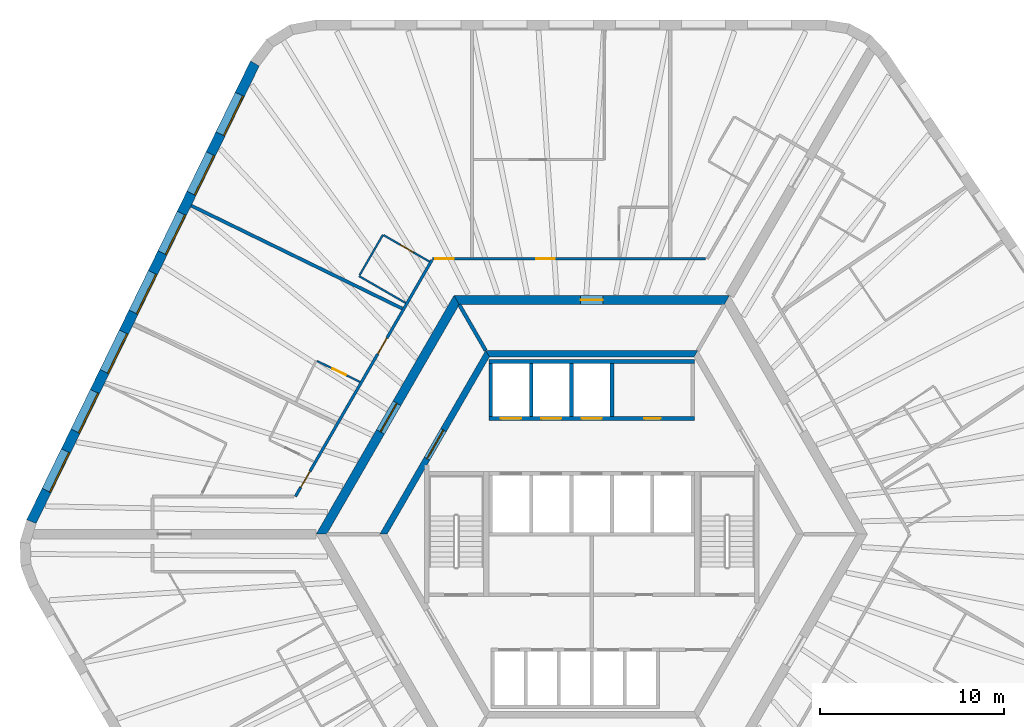
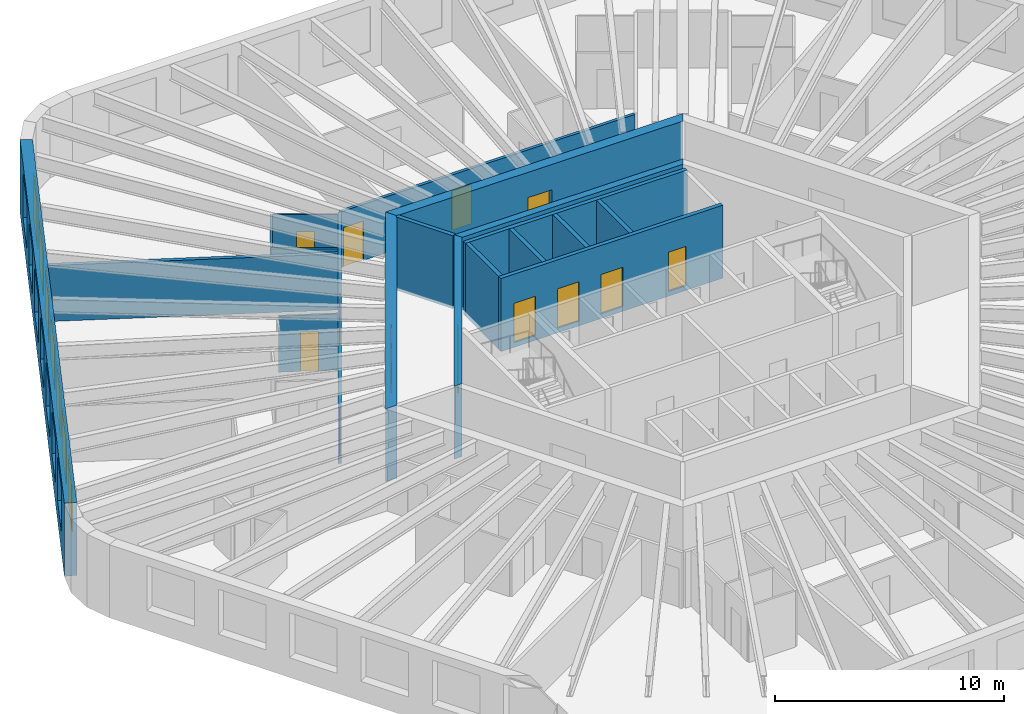
# One storey, part 7 of 10: 19 walls, 13 doors, 7 windows, 20 openings.
"""IFC4 building model written with IfcOpenShell, lengths in metres."""

from ifc_helpers import new_model, si_unit, direction, frame, frame_2d, origin, place, context, subcontext, project, spatial, polyline, rectangle, outline, extrude, material, layer, layer_set, type_object, element, fill, save


model = new_model("IFC4")

# Units and contexts
model_context = context("Model", 3, precision=1e-05, world=origin(), true_north=direction((0.0, 1.0)))
body_context = subcontext(model_context, "Body", "Model", "MODEL_VIEW")
ifc_project = project(units=[si_unit("LENGTHUNIT", "METRE"), si_unit("AREAUNIT", "SQUARE_METRE"), si_unit("VOLUMEUNIT", "CUBIC_METRE"), si_unit("PLANEANGLEUNIT", "RADIAN"), si_unit("MASSUNIT", "GRAM", prefix="KILO")], contexts=[model_context])

# Site, building, storey
site_placement = place(None, origin())
site = spatial("IfcSite", under=ifc_project, at=site_placement, CompositionType="ELEMENT")
building_placement = place(site_placement, origin())
building = spatial("IfcBuilding", under=site, at=building_placement, Name="Tarnside Tower", CompositionType="ELEMENT")
storey_placement = place(building_placement, frame((0.0, 0.0, 191.699951171875)))
storey = spatial("IfcBuildingStorey", under=building, at=storey_placement, Name="L45", CompositionType="ELEMENT", Elevation=191.699951171875)

# Walls
ifc_material_1 = material(Name="Gypsum board partition on steel studs", Category="steel")
ifc_layer_1 = layer(ifc_material_1, 0.10009765625)
ifc_layer_set_1 = layer_set([ifc_layer_1], Name="Bathroom wall 100")
wall_type_1 = type_object("IfcWallType", Name="Bathroom wall 100", PredefinedType="PARTITIONING", material=ifc_layer_set_1)
wall_1_placement = place(storey_placement, frame((-10.137939453125, 12.5908203125, 0.0), z_axis=(0.0, 0.0, 1.0), x_axis=(-0.866025730634, 0.499999433879, 0.0)))
element("IfcWall", 1, at=wall_1_placement, inside=storey, type_object=wall_type_1, Name="Bathroom wall 14064", PredefinedType="PARTITIONING", context=body_context, shape_type="SweptSolid", body=[
    extrude(rectangle(XDim=2.9248046875, YDim=0.10009765625, at=frame_2d((1.46240234375, 0.0))), origin(), (0.0, 0.0, 1.0), 2.98779296875),
])
wall_2_placement = place(storey_placement, frame((-12.64599609375, 14.096435546875, 0.0), z_axis=(0.0, 0.0, 1.0), x_axis=(0.500020783669, 0.866013403995, 0.0)))
element("IfcWall", 2, at=wall_2_placement, inside=storey, type_object=wall_type_1, Name="Bathroom wall 14065", PredefinedType="PARTITIONING", context=body_context, shape_type="SweptSolid", body=[
    extrude(rectangle(XDim=2.55029296875, YDim=0.10009765625, at=frame_2d((1.275146484375, 0.0))), origin(), (0.0, 0.0, 1.0), 2.98779296875),
])

# Wall, opening, door
wall_3_placement = place(storey_placement, frame((-11.32763671875, 16.280029296875, 0.0), z_axis=(0.0, 0.0, 1.0), x_axis=(0.865981939951, -0.500075274012, 0.0)))
wall_3 = element("IfcWall", 3, at=wall_3_placement, inside=storey, type_object=wall_type_1, Name="Bathroom wall 14066", PredefinedType="PARTITIONING", context=body_context, shape_type="SweptSolid", body=[
    extrude(rectangle(XDim=2.875, YDim=0.10009765625, at=frame_2d((1.4375, 0.0))), origin(), (0.0, 0.0, 1.0), 2.98779296875),
])
opening_1_placement = place(wall_3_placement, frame((1.050048828125, 0.0, 0.0)))
opening_1 = element("IfcOpeningElement", 4, at=opening_1_placement, cuts=wall_3, Name="Opening D-B1", PredefinedType="OPENING", context=body_context, shape_type="SweptSolid", body=[
    extrude(rectangle(XDim=0.800048828125, YDim=2.10009765625, at=frame_2d((0.39990234375, 1.050048828125))), frame((0.0, 0.06005859375, 0.0), z_axis=(0.0, -1.0, 0.0), x_axis=(1.0, 0.0, 0.0)), (0.0, 0.0, 1.0), 0.1201171875),
])
ifc_material_2 = material(Name="Timber door leaf", Category="wood")
door_type_1 = type_object("IfcDoorType", Name="Bathroom door 800", OperationType="NOTDEFINED", PredefinedType="DOOR", material=ifc_material_2)
door_1_placement = place(opening_1_placement, origin())
door_1 = element("IfcDoor", 5, at=door_1_placement, inside=storey, type_object=door_type_1, Name="Bathroom door 14007", OperationType="SINGLE_SWING_LEFT", OverallHeight=2.10009765625, OverallWidth=0.800048828125, PredefinedType="DOOR", context=body_context, shape_type="SweptSolid", body=[
    extrude(rectangle(XDim=0.800048828125, YDim=2.10009765625, at=frame_2d((0.39990234375, 1.050048828125))), frame((0.0, 0.02490234375, 0.0), z_axis=(0.0, -1.0, 0.0), x_axis=(1.0, 0.0, 0.0)), (0.0, 0.0, 1.0), 0.050048828125),
])
fill(opening_1, door_1)

wall_4_placement = place(storey_placement, frame((-14.96240234375, 9.431640625, 0.0), z_axis=(0.0, 0.0, 1.0), x_axis=(0.898770247069, -0.438419939081, 0.0)))
wall_4 = element("IfcWall", 6, at=wall_4_placement, inside=storey, type_object=wall_type_1, Name="Bathroom wall 14069", PredefinedType="PARTITIONING", context=body_context, shape_type="SweptSolid", body=[
    extrude(rectangle(XDim=2.60498046875, YDim=0.10009765625, at=frame_2d((1.302490234375, 0.0))), origin(), (0.0, 0.0, 1.0), 2.98779296875),
])
opening_2_placement = place(wall_4_placement, frame((0.949951171875, 0.0, 0.0)))
opening_2 = element("IfcOpeningElement", 7, at=opening_2_placement, cuts=wall_4, Name="Opening D-B1", PredefinedType="OPENING", context=body_context, shape_type="SweptSolid", body=[
    extrude(rectangle(XDim=0.800048828125, YDim=2.10009765625, at=frame_2d((0.39990234375, 1.050048828125))), frame((0.0, 0.06005859375, 0.0), z_axis=(0.0, -1.0, 0.0), x_axis=(1.0, 0.0, 0.0)), (0.0, 0.0, 1.0), 0.1201171875),
])
door_2_placement = place(opening_2_placement, origin())
door_2 = element("IfcDoor", 8, at=door_2_placement, inside=storey, type_object=door_type_1, Name="Bathroom door 14009", OperationType="SINGLE_SWING_LEFT", OverallHeight=2.10009765625, OverallWidth=0.800048828125, PredefinedType="DOOR", context=body_context, shape_type="SweptSolid", body=[
    extrude(rectangle(XDim=0.800048828125, YDim=2.10009765625, at=frame_2d((0.39990234375, 1.050048828125))), frame((0.0, 0.02490234375, 0.0), z_axis=(0.0, -1.0, 0.0), x_axis=(1.0, 0.0, 0.0)), (0.0, 0.0, 1.0), 0.050048828125),
])
fill(opening_2, door_2)

ifc_material_3 = material(Name="Concrete C50/60", Category="concrete")
ifc_layer_2 = layer(ifc_material_3, 0.35009765625)
ifc_layer_set_2 = layer_set([ifc_layer_2], Name="Core block wall 350 C50/60")
wall_type_2 = type_object("IfcWallType", Name="Core block wall 350 C50/60", PredefinedType="SHEAR", material=ifc_layer_set_2)
wall_5_placement = place(storey_placement, frame((-5.672607421875, 9.824951171875, -0.14990234375), z_axis=(0.0, 0.0, 1.0), x_axis=(-0.499995046907, -0.866028263435, 0.0)))
wall_5 = element("IfcWall", 9, at=wall_5_placement, inside=storey, type_object=wall_type_2, Name="L45 core block wall face 2", PredefinedType="SHEAR", context=body_context, shape_type="SweptSolid", body=[
    extrude(outline(polyline([(-0.10107421875, -0.175048828125), (11.44580078125, -0.175048828125), (11.24365234375, 0.175048828125), (0.10107421875, 0.175048828125), (-0.10107421875, -0.175048828125)])), origin(), (0.0, 0.0, 1.0), 3.89990234375),
])
opening_3_placement = place(wall_5_placement, frame((4.80126953125, 0.0, 0.14990234375)))
opening_3 = element("IfcOpeningElement", 10, at=opening_3_placement, cuts=wall_5, Name="Opening CD-LOB", PredefinedType="OPENING", context=body_context, shape_type="SweptSolid", body=[
    extrude(rectangle(XDim=1.800048828125, YDim=2.39990234375, at=frame_2d((0.89990234375, 1.199951171875))), frame((0.0, 0.18505859375, 0.0), z_axis=(0.0, -1.0, 0.0), x_axis=(1.0, 0.0, 0.0)), (0.0, 0.0, 1.0), 0.3701171875),
])
ifc_material_4 = material(Name="Steel fire door", Category="steel")
door_type_2 = type_object("IfcDoorType", Name="Lobby double door FD30S 1800x2400", OperationType="NOTDEFINED", PredefinedType="DOOR", material=ifc_material_4)
door_3_placement = place(opening_3_placement, origin())
door_3 = element("IfcDoor", 11, at=door_3_placement, inside=storey, type_object=door_type_2, Name="L45 lobby block door P1", OperationType="DOUBLE_DOOR_SINGLE_SWING", OverallHeight=2.39990234375, OverallWidth=1.800048828125, PredefinedType="DOOR", context=body_context, shape_type="SweptSolid", body=[
    extrude(rectangle(XDim=1.800048828125, YDim=2.39990234375, at=frame_2d((0.89990234375, 1.199951171875))), frame((0.0, 0.02490234375, 0.0), z_axis=(0.0, -1.0, 0.0), x_axis=(1.0, 0.0, 0.0)), (0.0, 0.0, 1.0), 0.050048828125),
])
fill(opening_3, door_3)

# Wall
wall_6_placement = place(storey_placement, frame((5.672607421875, 9.824951171875, -0.14990234375), z_axis=(0.0, 0.0, 1.0), x_axis=(-1.0, 0.0, 0.0)))
element("IfcWall", 12, at=wall_6_placement, inside=storey, type_object=wall_type_2, Name="L45 core block wall face 1", PredefinedType="SHEAR", context=body_context, shape_type="SweptSolid", body=[
    extrude(outline(polyline([(-0.10107421875, -0.175048828125), (11.4462890625, -0.175048828125), (11.244140625, 0.175048828125), (0.10107421875, 0.175048828125), (-0.10107421875, -0.175048828125)])), origin(), (0.0, 0.0, 1.0), 3.89990234375),
])

# Wall, opening, door
ifc_material_5 = material(Name="Concrete C70/85", Category="concrete")
ifc_layer_3 = layer(ifc_material_5, 0.5)
ifc_layer_set_3 = layer_set([ifc_layer_3], Name="Core wall Z2 500 C70/85")
wall_type_3 = type_object("IfcWallType", Name="Core wall Z2 500 C70/85", PredefinedType="SHEAR", material=ifc_layer_set_3)
wall_7_placement = place(storey_placement, frame((-7.361083984375, 12.75, -0.14990234375), z_axis=(0.0, 0.0, 1.0), x_axis=(-0.50000571537, -0.866022103989, 0.0)))
wall_7 = element("IfcWall", 13, at=wall_7_placement, inside=storey, type_object=wall_type_3, Name="L45 core wall face 2", PredefinedType="SHEAR", context=body_context, shape_type="SweptSolid", body=[
    extrude(outline(polyline([(-0.144287109375, -0.25), (14.86669921875, -0.25), (14.578125, 0.25), (0.144287109375, 0.25), (-0.144287109375, -0.25)])), origin(), (0.0, 0.0, 1.0), 3.89990234375),
])
opening_4_placement = place(wall_7_placement, frame((6.489990234375, 0.0, 0.14990234375)))
opening_4 = element("IfcOpeningElement", 14, at=opening_4_placement, cuts=wall_7, Name="Opening CD-LOB", PredefinedType="OPENING", context=body_context, shape_type="SweptSolid", body=[
    extrude(rectangle(XDim=1.800048828125, YDim=2.39990234375, at=frame_2d((0.89990234375, 1.199951171875))), frame((0.0, 0.260009765625, 0.0), z_axis=(0.0, -1.0, 0.0), x_axis=(1.0, 0.0, 0.0)), (0.0, 0.0, 1.0), 0.52001953125),
])
door_4_placement = place(opening_4_placement, origin())
door_4 = element("IfcDoor", 15, at=door_4_placement, inside=storey, type_object=door_type_2, Name="L45 core door P1", OperationType="DOUBLE_DOOR_SINGLE_SWING", OverallHeight=2.39990234375, OverallWidth=1.800048828125, PredefinedType="DOOR", context=body_context, shape_type="SweptSolid", body=[
    extrude(rectangle(XDim=1.800048828125, YDim=2.39990234375, at=frame_2d((0.89990234375, 1.199951171875))), frame((0.0, 0.02490234375, 0.0), z_axis=(0.0, -1.0, 0.0), x_axis=(1.0, 0.0, 0.0)), (0.0, 0.0, 1.0), 0.050048828125),
])
fill(opening_4, door_4)

wall_8_placement = place(storey_placement, frame((7.361083984375, 12.75, -0.14990234375), z_axis=(0.0, 0.0, 1.0), x_axis=(-1.0, 0.0, 0.0)))
wall_8 = element("IfcWall", 16, at=wall_8_placement, inside=storey, type_object=wall_type_3, Name="L45 core wall face 1", PredefinedType="SHEAR", context=body_context, shape_type="SweptSolid", body=[
    extrude(outline(polyline([(-0.144287109375, -0.25), (14.866455078125, -0.25), (14.577880859375, 0.25), (0.144287109375, 0.25), (-0.144287109375, -0.25)])), origin(), (0.0, 0.0, 1.0), 3.89990234375),
])
opening_5_placement = place(wall_8_placement, frame((6.76123046875, 0.0, 0.14990234375)))
opening_5 = element("IfcOpeningElement", 17, at=opening_5_placement, cuts=wall_8, Name="Opening CD-RSR", PredefinedType="OPENING", context=body_context, shape_type="SweptSolid", body=[
    extrude(rectangle(XDim=1.199951171875, YDim=2.39990234375, at=frame_2d((0.60009765625, 1.199951171875))), frame((0.0, 0.260009765625, 0.0), z_axis=(0.0, -1.0, 0.0), x_axis=(1.0, 0.0, 0.0)), (0.0, 0.0, 1.0), 0.52001953125),
])
door_type_3 = type_object("IfcDoorType", Name="Riser door FD60 1200x2400", OperationType="NOTDEFINED", PredefinedType="DOOR", material=ifc_material_4)
door_5_placement = place(opening_5_placement, origin())
door_5 = element("IfcDoor", 18, at=door_5_placement, inside=storey, type_object=door_type_3, Name="L45 core door S5", OperationType="SINGLE_SWING_LEFT", OverallHeight=2.39990234375, OverallWidth=1.199951171875, PredefinedType="DOOR", context=body_context, shape_type="SweptSolid", body=[
    extrude(rectangle(XDim=1.199951171875, YDim=2.39990234375, at=frame_2d((0.60009765625, 1.199951171875))), frame((0.0, 0.02490234375, 0.0), z_axis=(0.0, -1.0, 0.0), x_axis=(1.0, 0.0, 0.0)), (0.0, 0.0, 1.0), 0.050048828125),
])
fill(opening_5, door_5)

# Wall, openings, doors
ifc_layer_4 = layer(ifc_material_1, 0.14990234375)
ifc_layer_set_4 = layer_set([ifc_layer_4], Name="Corridor wall 150 EI 60")
wall_type_4 = type_object("IfcWallType", Name="Corridor wall 150 EI 60", PredefinedType="PARTITIONING", material=ifc_layer_set_4)
wall_9_placement = place(storey_placement, frame((6.20654296875, 15.0, 0.0), z_axis=(0.0, 0.0, 1.0), x_axis=(-1.0, 0.0, 0.0)))
wall_9 = element("IfcWall", 19, at=wall_9_placement, inside=storey, type_object=wall_type_4, Name="Corridor wall 14002", PredefinedType="PARTITIONING", context=body_context, shape_type="SweptSolid", body=[
    extrude(rectangle(XDim=14.86669921875, YDim=0.14990234375, at=frame_2d((7.433349609375, 0.0))), origin(), (0.0, 0.0, 1.0), 2.98779296875),
])
opening_6_placement = place(wall_9_placement, frame((8.224365234375, 0.0, 0.0)))
opening_6 = element("IfcOpeningElement", 20, at=opening_6_placement, cuts=wall_9, Name="Opening D-E1", PredefinedType="OPENING", context=body_context, shape_type="SweptSolid", body=[
    extrude(rectangle(XDim=1.0, YDim=2.10009765625, at=frame_2d((0.5, 1.050048828125))), frame((0.0, 0.0849609375, 0.0), z_axis=(0.0, -1.0, 0.0), x_axis=(1.0, 0.0, 0.0)), (0.0, 0.0, 1.0), 0.169921875),
])
opening_7_placement = place(wall_9_placement, frame((13.716796875, 0.0, 0.0)))
opening_7 = element("IfcOpeningElement", 21, at=opening_7_placement, cuts=wall_9, Name="Opening D-E1", PredefinedType="OPENING", context=body_context, shape_type="SweptSolid", body=[
    extrude(rectangle(XDim=1.0, YDim=2.10009765625, at=frame_2d((0.5, 1.050048828125))), frame((0.0, 0.0849609375, 0.0), z_axis=(0.0, -1.0, 0.0), x_axis=(1.0, 0.0, 0.0)), (0.0, 0.0, 1.0), 0.169921875),
])
door_type_4 = type_object("IfcDoorType", Name="Unit entrance door 1000 FD30S", OperationType="NOTDEFINED", PredefinedType="DOOR", material=ifc_material_2)
door_6_placement = place(opening_6_placement, origin())
door_6 = element("IfcDoor", 22, at=door_6_placement, inside=storey, type_object=door_type_4, Name="Unit door 14003", OperationType="SINGLE_SWING_RIGHT", OverallHeight=2.10009765625, OverallWidth=1.0, PredefinedType="DOOR", context=body_context, shape_type="SweptSolid", body=[
    extrude(rectangle(XDim=1.0, YDim=2.10009765625, at=frame_2d((0.5, 1.050048828125))), frame((0.0, 0.02490234375, 0.0), z_axis=(0.0, -1.0, 0.0), x_axis=(1.0, 0.0, 0.0)), (0.0, 0.0, 1.0), 0.050048828125),
])
fill(opening_6, door_6)
door_7_placement = place(opening_7_placement, origin())
door_7 = element("IfcDoor", 23, at=door_7_placement, inside=storey, type_object=door_type_4, Name="Unit door 14006", OperationType="SINGLE_SWING_LEFT", OverallHeight=2.10009765625, OverallWidth=1.0, PredefinedType="DOOR", context=body_context, shape_type="SweptSolid", body=[
    extrude(rectangle(XDim=1.0, YDim=2.10009765625, at=frame_2d((0.5, 1.050048828125))), frame((0.0, 0.02490234375, 0.0), z_axis=(0.0, -1.0, 0.0), x_axis=(1.0, 0.0, 0.0)), (0.0, 0.0, 1.0), 0.050048828125),
])
fill(opening_7, door_7)

wall_10_placement = place(storey_placement, frame((-8.70361328125, 14.925048828125, 0.0), z_axis=(0.0, 0.0, 1.0), x_axis=(-0.499998228944, -0.866026426302, 0.0)))
wall_10 = element("IfcWall", 24, at=wall_10_placement, inside=storey, type_object=wall_type_4, Name="Corridor wall 14008", PredefinedType="PARTITIONING", context=body_context, shape_type="SweptSolid", body=[
    extrude(rectangle(XDim=14.86669921875, YDim=0.14990234375, at=frame_2d((7.433349609375, 0.0))), origin(), (0.0, 0.0, 1.0), 2.98779296875),
])
opening_8_placement = place(wall_10_placement, frame((4.900634765625, 0.0, 0.0)))
opening_8 = element("IfcOpeningElement", 25, at=opening_8_placement, cuts=wall_10, Name="Opening D-E1", PredefinedType="OPENING", context=body_context, shape_type="SweptSolid", body=[
    extrude(rectangle(XDim=1.0, YDim=2.10009765625, at=frame_2d((0.5, 1.050048828125))), frame((0.0, 0.0849609375, 0.0), z_axis=(0.0, -1.0, 0.0), x_axis=(1.0, 0.0, 0.0)), (0.0, 0.0, 1.0), 0.169921875),
])
opening_9_placement = place(wall_10_placement, frame((13.28369140625, 0.0, 0.0)))
opening_9 = element("IfcOpeningElement", 26, at=opening_9_placement, cuts=wall_10, Name="Opening D-E1", PredefinedType="OPENING", context=body_context, shape_type="SweptSolid", body=[
    extrude(rectangle(XDim=1.0, YDim=2.10009765625, at=frame_2d((0.5, 1.050048828125))), frame((0.0, 0.0849609375, 0.0), z_axis=(0.0, -1.0, 0.0), x_axis=(1.0, 0.0, 0.0)), (0.0, 0.0, 1.0), 0.169921875),
])
door_8_placement = place(opening_8_placement, origin())
door_8 = element("IfcDoor", 27, at=door_8_placement, inside=storey, type_object=door_type_4, Name="Unit door 14008", OperationType="SINGLE_SWING_RIGHT", OverallHeight=2.10009765625, OverallWidth=1.0, PredefinedType="DOOR", context=body_context, shape_type="SweptSolid", body=[
    extrude(rectangle(XDim=1.0, YDim=2.10009765625, at=frame_2d((0.5, 1.050048828125))), frame((0.0, 0.02490234375, 0.0), z_axis=(0.0, -1.0, 0.0), x_axis=(1.0, 0.0, 0.0)), (0.0, 0.0, 1.0), 0.050048828125),
])
fill(opening_8, door_8)
door_9_placement = place(opening_9_placement, origin())
door_9 = element("IfcDoor", 28, at=door_9_placement, inside=storey, type_object=door_type_4, Name="Unit door 14010", OperationType="SINGLE_SWING_LEFT", OverallHeight=2.10009765625, OverallWidth=1.0, PredefinedType="DOOR", context=body_context, shape_type="SweptSolid", body=[
    extrude(rectangle(XDim=1.0, YDim=2.10009765625, at=frame_2d((0.5, 1.050048828125))), frame((0.0, 0.02490234375, 0.0), z_axis=(0.0, -1.0, 0.0), x_axis=(1.0, 0.0, 0.0)), (0.0, 0.0, 1.0), 0.050048828125),
])
fill(opening_9, door_9)

# Wall
ifc_layer_5 = layer(ifc_material_1, 0.179931640625)
ifc_layer_set_5 = layer_set([ifc_layer_5], Name="Demising wall 180 EI 60")
wall_type_5 = type_object("IfcWallType", Name="Demising wall 180 EI 60", PredefinedType="PARTITIONING", material=ifc_layer_set_5)
wall_11_placement = place(storey_placement, frame((-21.814697265625, 17.8916015625, 0.0), z_axis=(0.0, 0.0, 1.0), x_axis=(0.898799253997, -0.438360469265, 0.0)))
element("IfcWall", 29, at=wall_11_placement, inside=storey, type_object=wall_type_5, Name="Demising wall 14067", PredefinedType="PARTITIONING", context=body_context, shape_type="SweptSolid", body=[
    extrude(rectangle(XDim=12.7939453125, YDim=0.179931640625, at=frame_2d((6.39697265625, 0.0))), origin(), (0.0, 0.0, 1.0), 2.98779296875),
])

# Wall, openings, doors
ifc_material_6 = material(Name="Concrete C40/50", Category="concrete")
ifc_layer_6 = layer(ifc_material_6, 0.199951171875)
ifc_layer_set_6 = layer_set([ifc_layer_6], Name="Lift shaft wall 200 C40/50")
wall_type_6 = type_object("IfcWallType", Name="Lift shaft wall 200 C40/50", PredefinedType="SHEAR", material=ifc_layer_set_6)
wall_12_placement = place(storey_placement, frame((-5.60009765625, 6.300048828125, -0.25), z_axis=(0.0, 0.0, 1.0), x_axis=(1.0, 0.0, 0.0)))
wall_12 = element("IfcWall", 30, at=wall_12_placement, inside=storey, type_object=wall_type_6, Name="L45 lift shaft front wall R1", PredefinedType="SHEAR", context=body_context, shape_type="SweptSolid", body=[
    extrude(rectangle(XDim=11.2001953125, YDim=0.199951171875, at=frame_2d((5.60009765625, 0.0))), origin(), (0.0, 0.0, 1.0), 3.900146484375),
])
opening_10_placement = place(wall_12_placement, frame((8.449951171875, 0.0, 0.25)))
opening_10 = element("IfcOpeningElement", 31, at=opening_10_placement, cuts=wall_12, Name="Opening CD-room", PredefinedType="OPENING", context=body_context, shape_type="SweptSolid", body=[
    extrude(rectangle(XDim=0.89990234375, YDim=2.10009765625, at=frame_2d((0.449951171875, 1.050048828125))), frame((0.0, 0.10986328125, 0.0), z_axis=(0.0, -1.0, 0.0), x_axis=(1.0, 0.0, 0.0)), (0.0, 0.0, 1.0), 0.219970703125),
])
opening_11_placement = place(wall_12_placement, frame((0.64990234375, 0.0, 0.25)))
opening_11 = element("IfcOpeningElement", 32, at=opening_11_placement, cuts=wall_12, Name="Opening LD", PredefinedType="OPENING", context=body_context, shape_type="SweptSolid", body=[
    extrude(rectangle(XDim=1.10009765625, YDim=2.10009765625, at=frame_2d((0.550048828125, 1.050048828125))), frame((0.0, 0.10986328125, 0.0), z_axis=(0.0, -1.0, 0.0), x_axis=(1.0, 0.0, 0.0)), (0.0, 0.0, 1.0), 0.219970703125),
])
opening_12_placement = place(wall_12_placement, frame((2.85009765625, 0.0, 0.25)))
opening_12 = element("IfcOpeningElement", 33, at=opening_12_placement, cuts=wall_12, Name="Opening LD", PredefinedType="OPENING", context=body_context, shape_type="SweptSolid", body=[
    extrude(rectangle(XDim=1.10009765625, YDim=2.10009765625, at=frame_2d((0.550048828125, 1.050048828125))), frame((0.0, 0.10986328125, 0.0), z_axis=(0.0, -1.0, 0.0), x_axis=(1.0, 0.0, 0.0)), (0.0, 0.0, 1.0), 0.219970703125),
])
opening_13_placement = place(wall_12_placement, frame((5.050048828125, 0.0, 0.25)))
opening_13 = element("IfcOpeningElement", 34, at=opening_13_placement, cuts=wall_12, Name="Opening LD", PredefinedType="OPENING", context=body_context, shape_type="SweptSolid", body=[
    extrude(rectangle(XDim=1.10009765625, YDim=2.10009765625, at=frame_2d((0.550048828125, 1.050048828125))), frame((0.0, 0.10986328125, 0.0), z_axis=(0.0, -1.0, 0.0), x_axis=(1.0, 0.0, 0.0)), (0.0, 0.0, 1.0), 0.219970703125),
])
ifc_material_7 = material(Name="Stainless steel", Category="steel")
door_type_5 = type_object("IfcDoorType", Name="Lift landing door 1100x2100", OperationType="NOTDEFINED", PredefinedType="DOOR", material=ifc_material_7)
door_10_placement = place(opening_11_placement, origin())
door_10 = element("IfcDoor", 35, at=door_10_placement, inside=storey, type_object=door_type_5, Name="Mid-rise lift 1 landing door L45", OperationType="SLIDING_TO_LEFT", OverallHeight=2.10009765625, OverallWidth=1.10009765625, PredefinedType="DOOR", context=body_context, shape_type="SweptSolid", body=[
    extrude(rectangle(XDim=1.10009765625, YDim=2.10009765625, at=frame_2d((0.550048828125, 1.050048828125))), frame((0.0, 0.02490234375, 0.0), z_axis=(0.0, -1.0, 0.0), x_axis=(1.0, 0.0, 0.0)), (0.0, 0.0, 1.0), 0.050048828125),
])
fill(opening_11, door_10)
door_11_placement = place(opening_12_placement, origin())
door_11 = element("IfcDoor", 36, at=door_11_placement, inside=storey, type_object=door_type_5, Name="Mid-rise lift 2 landing door L45", OperationType="SLIDING_TO_LEFT", OverallHeight=2.10009765625, OverallWidth=1.10009765625, PredefinedType="DOOR", context=body_context, shape_type="SweptSolid", body=[
    extrude(rectangle(XDim=1.10009765625, YDim=2.10009765625, at=frame_2d((0.550048828125, 1.050048828125))), frame((0.0, 0.02490234375, 0.0), z_axis=(0.0, -1.0, 0.0), x_axis=(1.0, 0.0, 0.0)), (0.0, 0.0, 1.0), 0.050048828125),
])
fill(opening_12, door_11)
door_12_placement = place(opening_13_placement, origin())
door_12 = element("IfcDoor", 37, at=door_12_placement, inside=storey, type_object=door_type_5, Name="Mid-rise lift 3 landing door L45", OperationType="SLIDING_TO_LEFT", OverallHeight=2.10009765625, OverallWidth=1.10009765625, PredefinedType="DOOR", context=body_context, shape_type="SweptSolid", body=[
    extrude(rectangle(XDim=1.10009765625, YDim=2.10009765625, at=frame_2d((0.550048828125, 1.050048828125))), frame((0.0, 0.02490234375, 0.0), z_axis=(0.0, -1.0, 0.0), x_axis=(1.0, 0.0, 0.0)), (0.0, 0.0, 1.0), 0.050048828125),
])
fill(opening_13, door_12)
door_type_6 = type_object("IfcDoorType", Name="Room door FD60 900x2100", OperationType="NOTDEFINED", PredefinedType="DOOR", material=ifc_material_4)
door_13_placement = place(opening_10_placement, origin())
door_13 = element("IfcDoor", 38, at=door_13_placement, inside=storey, type_object=door_type_6, Name="L45 core room door FC1", OperationType="SINGLE_SWING_LEFT", OverallHeight=2.10009765625, OverallWidth=0.89990234375, PredefinedType="DOOR", context=body_context, shape_type="SweptSolid", body=[
    extrude(rectangle(XDim=0.89990234375, YDim=2.10009765625, at=frame_2d((0.449951171875, 1.050048828125))), frame((0.0, 0.02490234375, 0.0), z_axis=(0.0, -1.0, 0.0), x_axis=(1.0, 0.0, 0.0)), (0.0, 0.0, 1.0), 0.050048828125),
])
fill(opening_10, door_13)

# Walls
wall_13_placement = place(storey_placement, frame((-5.60009765625, 9.39990234375, -0.25), z_axis=(0.0, 0.0, 1.0), x_axis=(1.0, 0.0, 0.0)))
element("IfcWall", 39, at=wall_13_placement, inside=storey, type_object=wall_type_6, Name="L45 lift shaft back wall R1", PredefinedType="SHEAR", context=body_context, shape_type="SweptSolid", body=[
    extrude(rectangle(XDim=11.2001953125, YDim=0.199951171875, at=frame_2d((5.60009765625, 0.0))), origin(), (0.0, 0.0, 1.0), 3.900146484375),
])
for number, where, z_axis, x_axis, name in (
    (40, (-5.5, 6.39990234375, -0.25), (0.0, 0.0, 1.0), (0.0, 1.0, 0.0), "L45 lift shaft partition R11"),
    (41, (-3.300048828125, 6.39990234375, -0.25), (0.0, 0.0, 1.0), (0.0, 1.0, 0.0), "L45 lift shaft partition R12"),
    (42, (-1.10009765625, 6.39990234375, -0.25), (0.0, 0.0, 1.0), (0.0, 1.0, 0.0), "L45 lift shaft partition R13"),
    (43, (1.10009765625, 6.39990234375, -0.25), (0.0, 0.0, 1.0), (0.0, 1.0, 0.0), "L45 lift shaft partition R14"),
):
    element("IfcWall", number, at=place(storey_placement, frame(where, z_axis=z_axis, x_axis=x_axis)), inside=storey, type_object=wall_type_6, Name=name, PredefinedType="SHEAR", context=body_context, shape_type="SweptSolid", body=[
        extrude(rectangle(XDim=2.900146484375, YDim=0.199951171875, at=frame_2d((1.4501953125, 0.0))), origin(), (0.0, 0.0, 1.0), 3.900146484375),
    ])
wall_14_placement = place(storey_placement, frame((-5.7734375, 10.0, -0.14990234375), z_axis=(0.0, 0.0, 1.0), x_axis=(-0.499995765644, 0.866027848477, 0.0)))
element("IfcWall", 44, at=wall_14_placement, inside=storey, type_object=wall_type_6, Name="L45 core partition AR120", PredefinedType="SHEAR", context=body_context, shape_type="SweptSolid", body=[
    extrude(rectangle(XDim=2.88671875, YDim=0.199951171875, at=frame_2d((1.443359375, 0.0))), origin(), (0.0, 0.0, 1.0), 3.89990234375),
])

# Wall, openings, windows
ifc_material_8 = material(Name="Facing brick", Category="masonry")
ifc_layer_7 = layer(ifc_material_8, 0.10205078125)
ifc_material_9 = material(Name="Concrete C60/75 precast", Category="concrete")
ifc_layer_8 = layer(ifc_material_9, 0.347900390625)
ifc_material_10 = material(Name="Mineral wool insulation")
ifc_layer_9 = layer(ifc_material_10, 0.10009765625)
ifc_layer_set_7 = layer_set([ifc_layer_7, ifc_layer_8, ifc_layer_9], Name="Tube wall 550 brick faced")
wall_type_7 = type_object("IfcWallType", Name="Tube wall 550 brick faced", PredefinedType="SOLIDWALL", material=ifc_layer_set_7)
wall_15_placement = place(storey_placement, frame((-18.344970703125, 25.6328125, -0.14990234375), z_axis=(0.0, 0.0, 1.0), x_axis=(-0.43837181828, -0.898793718791, 0.0)))
wall_15 = element("IfcWall", 45, at=wall_15_placement, inside=storey, type_object=wall_type_7, Name="Tube wall L45 F2 flush 04", PredefinedType="SOLIDWALL", context=body_context, shape_type="SweptSolid", body=[
    extrude(outline(polyline([(-0.025634765625, -0.27490234375), (27.7802734375, -0.27490234375), (27.7353515625, 0.27490234375), (0.025634765625, 0.27490234375), (-0.025634765625, -0.27490234375)])), origin(), (0.0, 0.0, 1.0), 3.89990234375),
])
opening_14_placement = place(wall_15_placement, frame((1.87890625, 0.0, 1.050048828125)))
opening_14 = element("IfcOpeningElement", 46, at=opening_14_placement, cuts=wall_15, Name="Opening WH", PredefinedType="OPENING", context=body_context, shape_type="SweptSolid", body=[
    extrude(rectangle(XDim=2.39990234375, YDim=2.39990234375, at=frame_2d((1.199951171875, 1.199951171875))), frame((0.0, 0.28515625, 0.0), z_axis=(0.0, -1.0, 0.0), x_axis=(1.0, 0.0, 0.0)), (0.0, 0.0, 1.0), 0.570068359375),
])
opening_15_placement = place(wall_15_placement, frame((5.47900390625, 0.0, 1.050048828125)))
opening_15 = element("IfcOpeningElement", 47, at=opening_15_placement, cuts=wall_15, Name="Opening WH", PredefinedType="OPENING", context=body_context, shape_type="SweptSolid", body=[
    extrude(rectangle(XDim=2.39990234375, YDim=2.39990234375, at=frame_2d((1.199951171875, 1.199951171875))), frame((0.0, 0.28515625, 0.0), z_axis=(0.0, -1.0, 0.0), x_axis=(1.0, 0.0, 0.0)), (0.0, 0.0, 1.0), 0.570068359375),
])
opening_16_placement = place(wall_15_placement, frame((9.078857421875, 0.0, 1.050048828125)))
opening_16 = element("IfcOpeningElement", 48, at=opening_16_placement, cuts=wall_15, Name="Opening WH", PredefinedType="OPENING", context=body_context, shape_type="SweptSolid", body=[
    extrude(rectangle(XDim=2.39990234375, YDim=2.39990234375, at=frame_2d((1.199951171875, 1.199951171875))), frame((0.0, 0.28515625, 0.0), z_axis=(0.0, -1.0, 0.0), x_axis=(1.0, 0.0, 0.0)), (0.0, 0.0, 1.0), 0.570068359375),
])
opening_17_placement = place(wall_15_placement, frame((12.678955078125, 0.0, 1.050048828125)))
opening_17 = element("IfcOpeningElement", 49, at=opening_17_placement, cuts=wall_15, Name="Opening WH", PredefinedType="OPENING", context=body_context, shape_type="SweptSolid", body=[
    extrude(rectangle(XDim=2.39990234375, YDim=2.39990234375, at=frame_2d((1.199951171875, 1.199951171875))), frame((0.0, 0.28515625, 0.0), z_axis=(0.0, -1.0, 0.0), x_axis=(1.0, 0.0, 0.0)), (0.0, 0.0, 1.0), 0.570068359375),
])
opening_18_placement = place(wall_15_placement, frame((16.27880859375, 0.0, 1.050048828125)))
opening_18 = element("IfcOpeningElement", 50, at=opening_18_placement, cuts=wall_15, Name="Opening WH", PredefinedType="OPENING", context=body_context, shape_type="SweptSolid", body=[
    extrude(rectangle(XDim=2.39990234375, YDim=2.39990234375, at=frame_2d((1.199951171875, 1.199951171875))), frame((0.0, 0.28515625, 0.0), z_axis=(0.0, -1.0, 0.0), x_axis=(1.0, 0.0, 0.0)), (0.0, 0.0, 1.0), 0.570068359375),
])
opening_19_placement = place(wall_15_placement, frame((19.87890625, 0.0, 1.050048828125)))
opening_19 = element("IfcOpeningElement", 51, at=opening_19_placement, cuts=wall_15, Name="Opening WH", PredefinedType="OPENING", context=body_context, shape_type="SweptSolid", body=[
    extrude(rectangle(XDim=2.39990234375, YDim=2.39990234375, at=frame_2d((1.199951171875, 1.199951171875))), frame((0.0, 0.28515625, 0.0), z_axis=(0.0, -1.0, 0.0), x_axis=(1.0, 0.0, 0.0)), (0.0, 0.0, 1.0), 0.570068359375),
])
opening_20_placement = place(wall_15_placement, frame((23.47900390625, 0.0, 1.050048828125)))
opening_20 = element("IfcOpeningElement", 52, at=opening_20_placement, cuts=wall_15, Name="Opening WH", PredefinedType="OPENING", context=body_context, shape_type="SweptSolid", body=[
    extrude(rectangle(XDim=2.39990234375, YDim=2.39990234375, at=frame_2d((1.199951171875, 1.199951171875))), frame((0.0, 0.28515625, 0.0), z_axis=(0.0, -1.0, 0.0), x_axis=(1.0, 0.0, 0.0)), (0.0, 0.0, 1.0), 0.570068359375),
])
ifc_material_11 = material(Name="Aluminium-framed double glazing", Category="aluminium")
window_type = type_object("IfcWindowType", Name="Hotel window 2400 x 2400", PartitioningType="DOUBLE_PANEL_VERTICAL", PredefinedType="WINDOW", material=ifc_material_11)
window_1_placement = place(opening_14_placement, frame((0.0, 0.205078125, 0.0)))
window_1 = element("IfcWindow", 53, at=window_1_placement, inside=storey, type_object=window_type, Name="E.WN.L45.F2.00", OverallHeight=2.39990234375, OverallWidth=2.39990234375, PartitioningType="DOUBLE_PANEL_VERTICAL", PredefinedType="WINDOW", context=body_context, shape_type="SweptSolid", body=[
    extrude(rectangle(XDim=2.39990234375, YDim=2.39990234375, at=frame_2d((1.199951171875, 1.199951171875))), frame((0.0, 0.030029296875, 0.0), z_axis=(0.0, -1.0, 0.0), x_axis=(1.0, 0.0, 0.0)), (0.0, 0.0, 1.0), 0.06005859375),
])
fill(opening_14, window_1)
window_2_placement = place(opening_15_placement, frame((0.0, 0.205078125, 0.0)))
window_2 = element("IfcWindow", 54, at=window_2_placement, inside=storey, type_object=window_type, Name="E.WN.L45.F2.01", OverallHeight=2.39990234375, OverallWidth=2.39990234375, PartitioningType="DOUBLE_PANEL_VERTICAL", PredefinedType="WINDOW", context=body_context, shape_type="SweptSolid", body=[
    extrude(rectangle(XDim=2.39990234375, YDim=2.39990234375, at=frame_2d((1.199951171875, 1.199951171875))), frame((0.0, 0.030029296875, 0.0), z_axis=(0.0, -1.0, 0.0), x_axis=(1.0, 0.0, 0.0)), (0.0, 0.0, 1.0), 0.06005859375),
])
fill(opening_15, window_2)
window_3_placement = place(opening_16_placement, frame((0.0, 0.205078125, 0.0)))
window_3 = element("IfcWindow", 55, at=window_3_placement, inside=storey, type_object=window_type, Name="E.WN.L45.F2.02", OverallHeight=2.39990234375, OverallWidth=2.39990234375, PartitioningType="DOUBLE_PANEL_VERTICAL", PredefinedType="WINDOW", context=body_context, shape_type="SweptSolid", body=[
    extrude(rectangle(XDim=2.39990234375, YDim=2.39990234375, at=frame_2d((1.199951171875, 1.199951171875))), frame((0.0, 0.030029296875, 0.0), z_axis=(0.0, -1.0, 0.0), x_axis=(1.0, 0.0, 0.0)), (0.0, 0.0, 1.0), 0.06005859375),
])
fill(opening_16, window_3)
window_4_placement = place(opening_17_placement, frame((0.0, 0.205078125, 0.0)))
window_4 = element("IfcWindow", 56, at=window_4_placement, inside=storey, type_object=window_type, Name="E.WN.L45.F2.03", OverallHeight=2.39990234375, OverallWidth=2.39990234375, PartitioningType="DOUBLE_PANEL_VERTICAL", PredefinedType="WINDOW", context=body_context, shape_type="SweptSolid", body=[
    extrude(rectangle(XDim=2.39990234375, YDim=2.39990234375, at=frame_2d((1.199951171875, 1.199951171875))), frame((0.0, 0.030029296875, 0.0), z_axis=(0.0, -1.0, 0.0), x_axis=(1.0, 0.0, 0.0)), (0.0, 0.0, 1.0), 0.06005859375),
])
fill(opening_17, window_4)
window_5_placement = place(opening_18_placement, frame((0.0, 0.205078125, 0.0)))
window_5 = element("IfcWindow", 57, at=window_5_placement, inside=storey, type_object=window_type, Name="E.WN.L45.F2.04", OverallHeight=2.39990234375, OverallWidth=2.39990234375, PartitioningType="DOUBLE_PANEL_VERTICAL", PredefinedType="WINDOW", context=body_context, shape_type="SweptSolid", body=[
    extrude(rectangle(XDim=2.39990234375, YDim=2.39990234375, at=frame_2d((1.199951171875, 1.199951171875))), frame((0.0, 0.030029296875, 0.0), z_axis=(0.0, -1.0, 0.0), x_axis=(1.0, 0.0, 0.0)), (0.0, 0.0, 1.0), 0.06005859375),
])
fill(opening_18, window_5)
window_6_placement = place(opening_19_placement, frame((0.0, 0.205078125, 0.0)))
window_6 = element("IfcWindow", 58, at=window_6_placement, inside=storey, type_object=window_type, Name="E.WN.L45.F2.05", OverallHeight=2.39990234375, OverallWidth=2.39990234375, PartitioningType="DOUBLE_PANEL_VERTICAL", PredefinedType="WINDOW", context=body_context, shape_type="SweptSolid", body=[
    extrude(rectangle(XDim=2.39990234375, YDim=2.39990234375, at=frame_2d((1.199951171875, 1.199951171875))), frame((0.0, 0.030029296875, 0.0), z_axis=(0.0, -1.0, 0.0), x_axis=(1.0, 0.0, 0.0)), (0.0, 0.0, 1.0), 0.06005859375),
])
fill(opening_19, window_6)
window_7_placement = place(opening_20_placement, frame((0.0, 0.205078125, 0.0)))
window_7 = element("IfcWindow", 59, at=window_7_placement, inside=storey, type_object=window_type, Name="E.WN.L45.F2.06", OverallHeight=2.39990234375, OverallWidth=2.39990234375, PartitioningType="DOUBLE_PANEL_VERTICAL", PredefinedType="WINDOW", context=body_context, shape_type="SweptSolid", body=[
    extrude(rectangle(XDim=2.39990234375, YDim=2.39990234375, at=frame_2d((1.199951171875, 1.199951171875))), frame((0.0, 0.030029296875, 0.0), z_axis=(0.0, -1.0, 0.0), x_axis=(1.0, 0.0, 0.0)), (0.0, 0.0, 1.0), 0.06005859375),
])
fill(opening_20, window_7)

save(model, "model.ifc")
